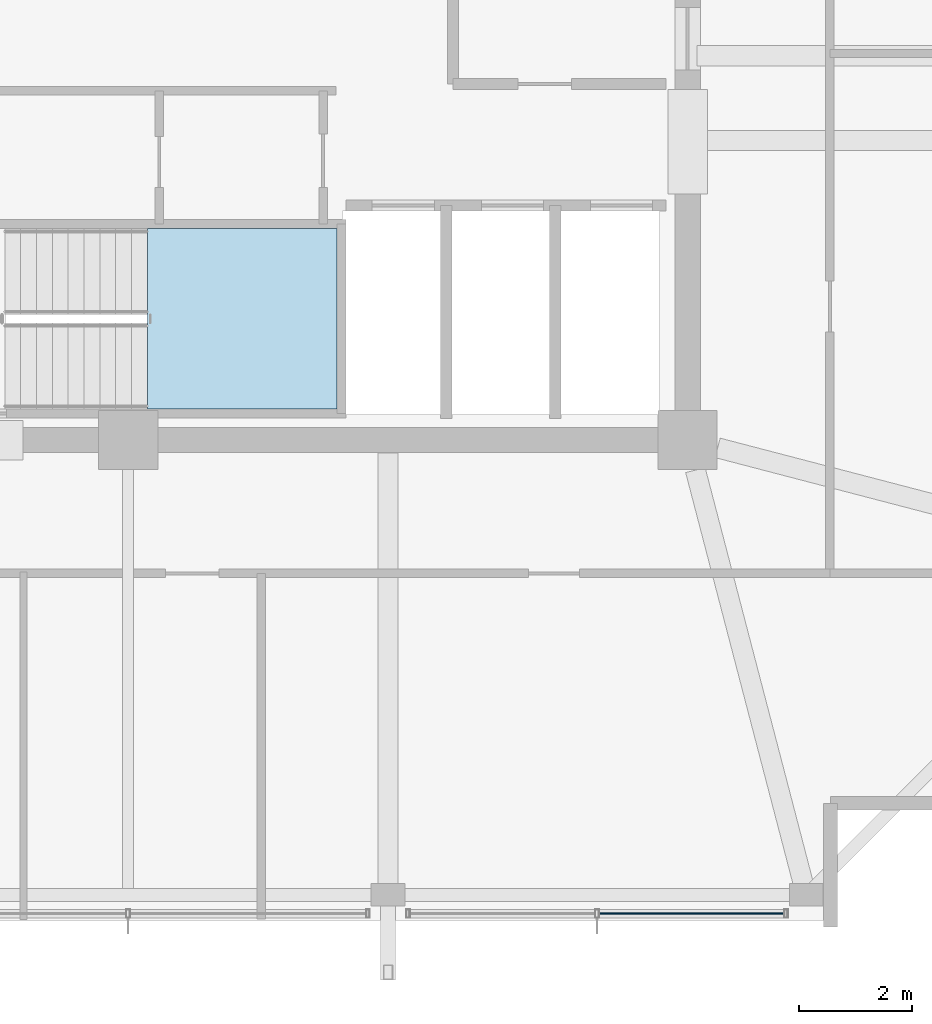
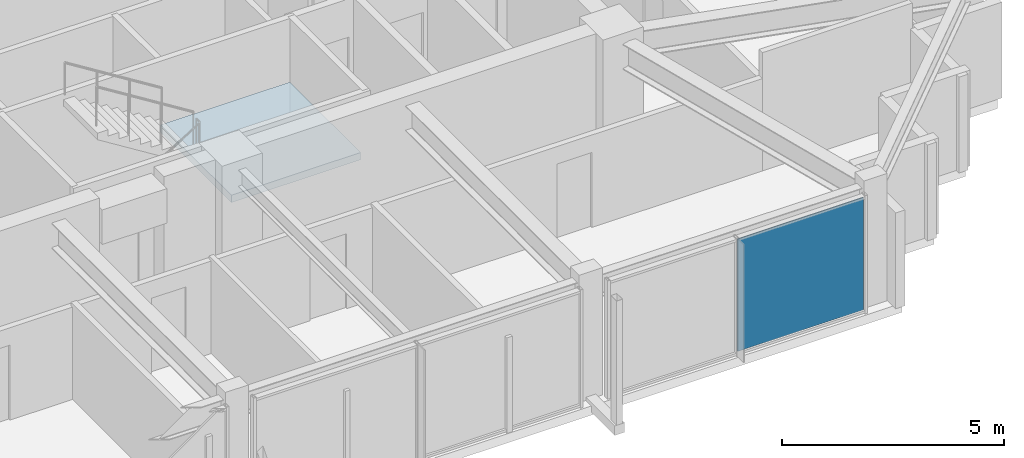
# One storey, part 21 of 31: 1 plate, 1 slab, 2 elements without a shape of their own.
"""IFC4 building model written with IfcOpenShell, lengths in metres."""

from ifc_helpers import new_model, si_unit, direction, frame, origin, origin_2d, place, context, subcontext, project, spatial, polyline, rectangle, outline, extrude, material, layer, layer_set, type_object, element, aggregate, save


model = new_model("IFC4")

# Units and contexts
model_context = context("Model", 3, precision=1e-05, world=origin(), true_north=direction((0.0, 1.0)))
body_context = subcontext(model_context, "Body", "Model", "MODEL_VIEW")
ifc_project = project(units=[si_unit("LENGTHUNIT", "METRE"), si_unit("AREAUNIT", "SQUARE_METRE"), si_unit("VOLUMEUNIT", "CUBIC_METRE"), si_unit("PLANEANGLEUNIT", "RADIAN"), si_unit("MASSUNIT", "GRAM", prefix="KILO")], contexts=[model_context])

# Site, building, storey
site_placement = place(None, origin())
site = spatial("IfcSite", under=ifc_project, at=site_placement, CompositionType="ELEMENT")
building_placement = place(site_placement, origin())
building = spatial("IfcBuilding", under=site, at=building_placement, Name="Kolvaren Belvedere", CompositionType="ELEMENT")
storey_placement = place(building_placement, frame((0.0, 0.0, 251.39990234375)))
storey = spatial("IfcBuildingStorey", under=building, at=storey_placement, Name="L73", CompositionType="ELEMENT", Elevation=251.39990234375)

# Curtain wall, plate
ifc_material_1 = material(Name="Anodised pale-metal aluminium AA 6063-T6", Category="aluminium")
curtain_wall_type = type_object("IfcCurtainWallType", Name="CW-Z5-HIGH", PredefinedType="NOTDEFINED", material=ifc_material_1)
curtain_wall_placement = place(storey_placement, origin())
curtain_wall = element("IfcCurtainWall", 1, at=curtain_wall_placement, inside=storey, type_object=curtain_wall_type, Name="L73 Unitised Curtain Wall FCW-L73-S-B1", PredefinedType="NOTDEFINED")
ifc_material_2 = material(Name="Low-iron triple insulated glass", Category="glass")
ifc_layer_1 = layer(ifc_material_2, 0.028076171875)
ifc_layer_set_1 = layer_set([ifc_layer_1], Name="Low-iron triple insulated glass")
plate_type = type_object("IfcPlateType", Name="CW-PNL-VIS28", PredefinedType="CURTAIN_PANEL", material=ifc_layer_set_1)
plate_placement = place(storey_placement, frame((9.972412109375, -18.280029296875, 0.080078125), z_axis=(0.0, 0.0, 1.0), x_axis=(-1.0, 0.0, 0.0)))
plate = element("IfcPlate", 2, at=plate_placement, type_object=plate_type, Name="FCW-L73-S-B1 Vision Glazing Panel 1", PredefinedType="CURTAIN_PANEL", context=body_context, shape_type="SweptSolid", body=[
    extrude(rectangle(XDim=3.264892578125, YDim=0.028076171875, at=origin_2d()), origin(), (0.0, 0.0, 1.0), 3.090087890625),
])
aggregate(curtain_wall, [plate])

# Stair, slab
ifc_material_3 = material(Name="Concrete C50/60", Category="concrete")
stair_type = type_object("IfcStairType", Name="ST-CORE-1520", PredefinedType="HALF_TURN_STAIR", material=ifc_material_3)
stair_placement = place(storey_placement, origin())
stair = element("IfcStair", 3, at=stair_placement, inside=storey, type_object=stair_type, Name="L73 Protected Exit Stair ST-3", PredefinedType="HALF_TURN_STAIR")
ifc_material_4 = material(Name="Concrete C50/60", Category="concrete")
ifc_layer_2 = layer(ifc_material_4, 0.260009765625)
ifc_layer_set_2 = layer_set([ifc_layer_2], Name="Concrete C50/60")
slab_type = type_object("IfcSlabType", Name="SL-LAND-260", PredefinedType="LANDING", material=ifc_layer_set_2)
slab_placement = place(storey_placement, frame((0.0, 0.0, 1.550048828125)))
slab = element("IfcSlab", 4, at=slab_placement, type_object=slab_type, Name="ST-3 landing 1", PredefinedType="LANDING", context=body_context, shape_type="SweptSolid", body=[
    extrude(outline(polyline([(0.340087890625, -9.35009765625), (3.699951171875, -9.35009765625), (3.699951171875, -6.159912109375), (0.340087890625, -6.159912109375), (0.340087890625, -9.35009765625)])), origin(), (0.0, 0.0, 1.0), 0.199951171875),
])
aggregate(stair, [slab])

save(model, "model.ifc")
